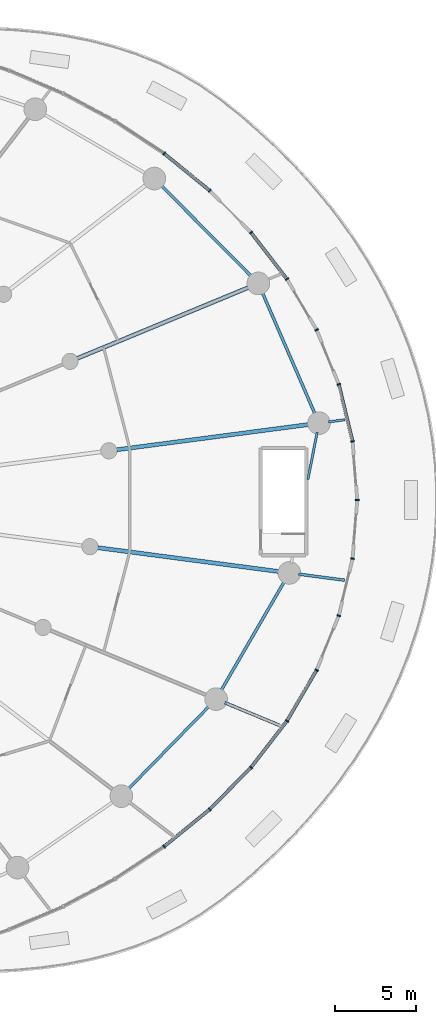
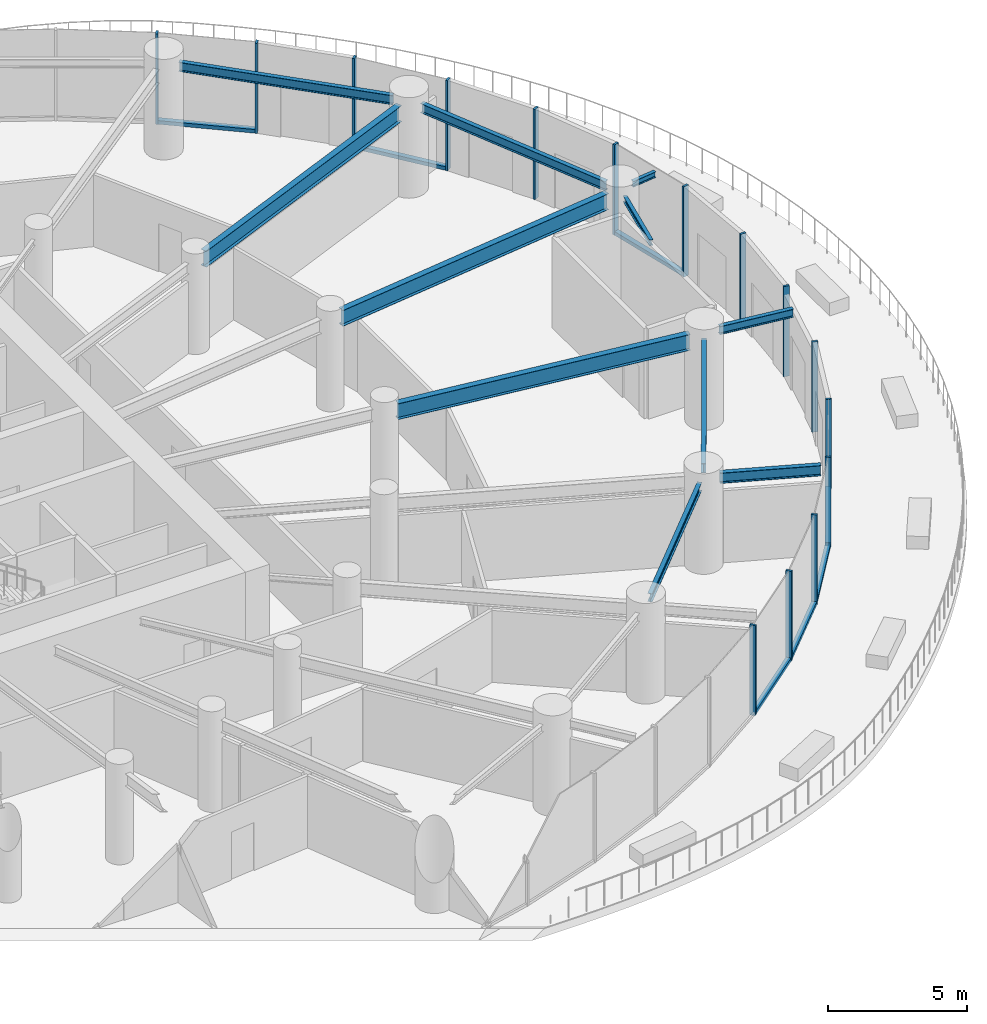
# One storey, part 7 of 21: 22 members, 11 beams, 4 elements without a shape of their own.
"""IFC4 building model written with IfcOpenShell, lengths in metres."""

from ifc_helpers import new_model, si_unit, direction, frame, origin, origin_2d, place, context, subcontext, project, spatial, rectangle, i_section, extrude, source, transform, mapped, material, layer, layer_set, material_profile, profile_set, type_object, element, aggregate, save


model = new_model("IFC4")

# Units and contexts
model_context = context("Model", 3, precision=1e-05, world=origin(), true_north=direction((0.0, 1.0)))
body_context = subcontext(model_context, "Body", "Model", "MODEL_VIEW")
ifc_project = project(units=[si_unit("LENGTHUNIT", "METRE"), si_unit("AREAUNIT", "SQUARE_METRE"), si_unit("VOLUMEUNIT", "CUBIC_METRE"), si_unit("PLANEANGLEUNIT", "RADIAN"), si_unit("MASSUNIT", "GRAM", prefix="KILO")], contexts=[model_context])

# Site, building, storey
site_placement = place(None, origin())
site = spatial("IfcSite", under=ifc_project, at=site_placement, CompositionType="ELEMENT")
building_placement = place(site_placement, origin())
building = spatial("IfcBuilding", under=site, at=building_placement, Name="Spindrift Exchange Tower", CompositionType="ELEMENT")
storey_placement = place(building_placement, frame((0.0, 0.0, 18.199951171875)))
storey = spatial("IfcBuildingStorey", under=building, at=storey_placement, Name="L04", CompositionType="ELEMENT", Elevation=18.199951171875)

# Beams
ifc_material_1 = material(Name="Steel Grade 300", Category="steel")
ifc_material_profile_1 = material_profile(ifc_material_1, i_section(OverallWidth=0.25, OverallDepth=0.699951171875, WebThickness=0.008056640625, FlangeThickness=0.011962890625, at=origin_2d()), Name="700WB115")
ifc_profile_set_1 = profile_set([ifc_material_profile_1], Name="Steel Grade 300")
beam_type_1 = type_object("IfcBeamType", Name="Floor Beam 700WB115 Steel Grade 300", PredefinedType="BEAM", material=ifc_profile_set_1)
shared_shape_1 = source(origin(), body_context, "Body", "SweptSolid", [
    extrude(i_section(OverallWidth=0.25, OverallDepth=0.699951171875, WebThickness=0.008056640625, FlangeThickness=0.011962890625, at=origin_2d()), origin(), (0.0, 0.0, 1.0), 12.00830078125),
])
beam_1_placement = place(storey_placement, frame((75.509765625, 51.09521484375, 3.60009765625), z_axis=(0.991444950947, 0.130525511844, 0.0), x_axis=(-0.130525511844, 0.991444950947, 0.0)))
element("IfcBeam", 1, at=beam_1_placement, inside=storey, type_object=beam_type_1, Name="L04 radial beam R01B", PredefinedType="BEAM", context=body_context, shape_type="MappedRepresentation", body=[
    mapped(shared_shape_1, transform((0.0, 0.0, 0.0), scale=1.0)),
])
shared_shape_2 = source(origin(), body_context, "Body", "SweptSolid", [
    extrude(i_section(OverallWidth=0.25, OverallDepth=0.699951171875, WebThickness=0.008056640625, FlangeThickness=0.011962890625, at=origin_2d()), origin(), (0.0, 0.0, 1.0), 11.505859375),
])
beam_2_placement = place(storey_placement, frame((73.082763671875, 56.73291015625, 3.60009765625), z_axis=(0.923881578419, 0.38267849307, 0.0), x_axis=(-0.38267849307, 0.923881578419, 0.0)))
element("IfcBeam", 2, at=beam_2_placement, inside=storey, type_object=beam_type_1, Name="L04 radial beam R02B", PredefinedType="BEAM", context=body_context, shape_type="MappedRepresentation", body=[
    mapped(shared_shape_2, transform((0.0, 0.0, 0.0), scale=1.0)),
])
shared_shape_3 = source(origin(), body_context, "Body", "SweptSolid", [
    extrude(i_section(OverallWidth=0.25, OverallDepth=0.699951171875, WebThickness=0.008056640625, FlangeThickness=0.011962890625, at=origin_2d()), origin(), (0.0, 0.0, 1.0), 11.34423828125),
])
beam_3_placement = place(storey_placement, frame((74.339111328125, 45.05908203125, 3.60009765625), z_axis=(0.991444770187, -0.130526884848, 0.0), x_axis=(0.130526884848, 0.991444770187, 0.0)))
element("IfcBeam", 3, at=beam_3_placement, inside=storey, type_object=beam_type_1, Name="L04 radial beam R24B", PredefinedType="BEAM", context=body_context, shape_type="MappedRepresentation", body=[
    mapped(shared_shape_3, transform((0.0, 0.0, 0.0), scale=1.0)),
])
ifc_material_profile_2 = material_profile(ifc_material_1, i_section(OverallWidth=0.177978515625, OverallDepth=0.406005859375, WebThickness=0.0078125, FlangeThickness=0.0126953125, FilletRadius=0.013916015625, at=origin_2d()), Name="410UB59.7")
ifc_profile_set_2 = profile_set([ifc_material_profile_2], Name="Steel Grade 300")
beam_type_2 = type_object("IfcBeamType", Name="Edge Beam 410UB59.7 Steel Grade 300", PredefinedType="SPANDREL", material=ifc_profile_set_2)
shared_shape_4 = source(origin(), body_context, "Body", "SweptSolid", [
    extrude(i_section(OverallWidth=0.177978515625, OverallDepth=0.406005859375, WebThickness=0.0078125, FlangeThickness=0.0126953125, FilletRadius=0.013916015625, at=origin_2d()), origin(), (0.0, 0.0, 1.0), 8.23681640625),
])
beam_4_placement = place(storey_placement, frame((87.759521484375, 53.270263671875, 3.7470703125), z_axis=(-0.398186298756, 0.91730456855, 0.0), x_axis=(-0.91730456855, -0.398186298756, 0.0)))
element("IfcBeam", 4, at=beam_4_placement, inside=storey, type_object=beam_type_2, Name="L04 edge beam E01", PredefinedType="SPANDREL", context=body_context, shape_type="MappedRepresentation", body=[
    mapped(shared_shape_4, transform((0.0, 0.0, 0.0), scale=1.0)),
])
shared_shape_5 = source(origin(), body_context, "Body", "SweptSolid", [
    extrude(i_section(OverallWidth=0.177978515625, OverallDepth=0.406005859375, WebThickness=0.0078125, FlangeThickness=0.0126953125, FilletRadius=0.013916015625, at=origin_2d()), origin(), (0.0, 0.0, 1.0), 7.947509765625),
])
beam_5_placement = place(storey_placement, frame((83.840576171875, 61.769775390625, 3.7470703125), z_axis=(-0.704197895271, 0.710003749494, 0.0), x_axis=(-0.710003749494, -0.704197895271, 0.0)))
element("IfcBeam", 5, at=beam_5_placement, inside=storey, type_object=beam_type_2, Name="L04 edge beam E02", PredefinedType="SPANDREL", context=body_context, shape_type="MappedRepresentation", body=[
    mapped(shared_shape_5, transform((0.0, 0.0, 0.0), scale=1.0)),
])
ifc_material_profile_3 = material_profile(ifc_material_1, i_section(OverallWidth=0.172119140625, OverallDepth=0.35888671875, WebThickness=0.008056640625, FlangeThickness=0.012939453125, FilletRadius=0.013916015625, at=origin_2d()), Name="360UB56.7")
ifc_profile_set_3 = profile_set([ifc_material_profile_3], Name="Steel Grade 300")
beam_type_3 = type_object("IfcBeamType", Name="Edge Beam 360UB56.7 Steel Grade 300", PredefinedType="SPANDREL", material=ifc_profile_set_3)
shared_shape_6 = source(origin(), body_context, "Body", "SweptSolid", [
    extrude(i_section(OverallWidth=0.172119140625, OverallDepth=0.35888671875, WebThickness=0.008056640625, FlangeThickness=0.012939453125, FilletRadius=0.013916015625, at=origin_2d()), origin(), (0.0, 0.0, 1.0), 7.2041015625),
])
beam_6_placement = place(storey_placement, frame((76.205810546875, 30.152099609375, 3.7705078125), z_axis=(0.698703626006, 0.715411240481, 0.0), x_axis=(-0.715411240481, 0.698703626006, 0.0)))
element("IfcBeam", 6, at=beam_6_placement, inside=storey, type_object=beam_type_3, Name="L04 edge beam E22", PredefinedType="SPANDREL", context=body_context, shape_type="MappedRepresentation", body=[
    mapped(shared_shape_6, transform((0.0, 0.0, 0.0), scale=1.0)),
])
shared_shape_7 = source(origin(), body_context, "Body", "SweptSolid", [
    extrude(i_section(OverallWidth=0.177978515625, OverallDepth=0.406005859375, WebThickness=0.0078125, FlangeThickness=0.0126953125, FilletRadius=0.013916015625, at=origin_2d()), origin(), (0.0, 0.0, 1.0), 7.837646484375),
])
beam_7_placement = place(storey_placement, frame((81.935791015625, 36.222412109375, 3.7470703125), z_axis=(0.50198145655, 0.864878382942, 0.0), x_axis=(-0.864878382942, 0.50198145655, 0.0)))
element("IfcBeam", 7, at=beam_7_placement, inside=storey, type_object=beam_type_2, Name="L04 edge beam E23", PredefinedType="SPANDREL", context=body_context, shape_type="MappedRepresentation", body=[
    mapped(shared_shape_7, transform((0.0, 0.0, 0.0), scale=1.0)),
])
ifc_material_profile_4 = material_profile(ifc_material_1, i_section(OverallWidth=0.14599609375, OverallDepth=0.251953125, WebThickness=0.006103515625, FlangeThickness=0.008544921875, FilletRadius=0.011962890625, at=origin_2d()), Name="250UB31.4")
ifc_profile_set_4 = profile_set([ifc_material_profile_4], Name="Steel Grade 300")
beam_type_4 = type_object("IfcBeamType", Name="Edge Beam 250UB31.4 Steel Grade 300", PredefinedType="SPANDREL", material=ifc_profile_set_4)
shared_shape_8 = source(origin(), body_context, "Body", "SweptSolid", [
    extrude(i_section(OverallWidth=0.14599609375, OverallDepth=0.251953125, WebThickness=0.006103515625, FlangeThickness=0.008544921875, FilletRadius=0.011962890625, at=origin_2d()), origin(), (0.0, 0.0, 1.0), 2.953369140625),
])
beam_8_placement = place(storey_placement, frame((87.303955078125, 49.27197265625, 3.823974609375), z_axis=(0.194255885589, 0.980950891184, 0.0), x_axis=(-0.980950891184, 0.194255885589, 0.0)))
element("IfcBeam", 8, at=beam_8_placement, inside=storey, type_object=beam_type_4, Name="L04 edge beam E24b", PredefinedType="SPANDREL", context=body_context, shape_type="MappedRepresentation", body=[
    mapped(shared_shape_8, transform((0.0, 0.0, 0.0), scale=1.0)),
])
ifc_material_profile_5 = material_profile(ifc_material_1, i_section(OverallWidth=0.18994140625, OverallDepth=0.45703125, WebThickness=0.009033203125, FlangeThickness=0.014404296875, FilletRadius=0.013916015625, at=origin_2d()), Name="460UB74.6")
ifc_profile_set_5 = profile_set([ifc_material_profile_5], Name="Steel Grade 300")
beam_type_5 = type_object("IfcBeamType", Name="Cantilever Beam 460UB74.6 Steel Grade 300", PredefinedType="BEAM", material=ifc_profile_set_5)
shared_shape_9 = source(origin(), body_context, "Body", "SweptSolid", [
    extrude(i_section(OverallWidth=0.18994140625, OverallDepth=0.45703125, WebThickness=0.009033203125, FlangeThickness=0.014404296875, FilletRadius=0.013916015625, at=origin_2d()), origin(), (0.0, 0.0, 1.0), 3.650390625),
])
beam_9_placement = place(storey_placement, frame((82.180419921875, 35.498779296875, 3.721435546875), z_axis=(0.923878259205, -0.382686506383, 0.0), x_axis=(0.382686506383, 0.923878259205, 0.0)))
element("IfcBeam", 9, at=beam_9_placement, inside=storey, type_object=beam_type_5, Name="L04 cantilever beam R23T", PredefinedType="BEAM", context=body_context, shape_type="MappedRepresentation", body=[
    mapped(shared_shape_9, transform((0.0, 0.0, 0.0), scale=1.0)),
])
ifc_material_profile_6 = material_profile(ifc_material_1, i_section(OverallWidth=0.172119140625, OverallDepth=0.35888671875, WebThickness=0.008056640625, FlangeThickness=0.012939453125, FilletRadius=0.013916015625, at=origin_2d()), Name="360UB56.7")
ifc_profile_set_6 = profile_set([ifc_material_profile_6], Name="Steel Grade 300")
beam_type_6 = type_object("IfcBeamType", Name="Cantilever Beam 360UB56.7 Steel Grade 300", PredefinedType="BEAM", material=ifc_profile_set_6)
shared_shape_10 = source(origin(), body_context, "Body", "SweptSolid", [
    extrude(i_section(OverallWidth=0.172119140625, OverallDepth=0.35888671875, WebThickness=0.008056640625, FlangeThickness=0.012939453125, FilletRadius=0.013916015625, at=origin_2d()), origin(), (0.0, 0.0, 1.0), 2.85888671875),
])
beam_10_placement = place(storey_placement, frame((86.736083984375, 43.427001953125, 3.7705078125), z_axis=(0.99143917468, -0.13056937968, 0.0), x_axis=(0.13056937968, 0.99143917468, 0.0)))
element("IfcBeam", 10, at=beam_10_placement, inside=storey, type_object=beam_type_6, Name="L04 cantilever beam R24T", PredefinedType="BEAM", context=body_context, shape_type="MappedRepresentation", body=[
    mapped(shared_shape_10, transform((0.0, 0.0, 0.0), scale=1.0)),
])
ifc_material_profile_7 = material_profile(ifc_material_1, i_section(OverallWidth=0.14599609375, OverallDepth=0.251953125, WebThickness=0.006103515625, FlangeThickness=0.008544921875, FilletRadius=0.011962890625, at=origin_2d()), Name="250UB31.4")
ifc_profile_set_7 = profile_set([ifc_material_profile_7], Name="Steel Grade 300")
beam_type_7 = type_object("IfcBeamType", Name="Cantilever Beam 250UB31.4 Steel Grade 300", PredefinedType="BEAM", material=ifc_profile_set_7)
shared_shape_11 = source(origin(), body_context, "Body", "SweptSolid", [
    extrude(i_section(OverallWidth=0.14599609375, OverallDepth=0.251953125, WebThickness=0.006103515625, FlangeThickness=0.008544921875, FilletRadius=0.011962890625, at=origin_2d()), origin(), (0.0, 0.0, 1.0), 1.013916015625),
])
beam_11_placement = place(storey_placement, frame((88.5654296875, 52.81396484375, 3.823974609375), z_axis=(0.991445276866, 0.130523036206, 0.0), x_axis=(-0.130523036206, 0.991445276866, 0.0)))
element("IfcBeam", 11, at=beam_11_placement, inside=storey, type_object=beam_type_7, Name="L04 cantilever beam R01T", PredefinedType="BEAM", context=body_context, shape_type="MappedRepresentation", body=[
    mapped(shared_shape_11, transform((0.0, 0.0, 0.0), scale=1.0)),
])

# Curtain wall, members
ifc_material_2 = material(Name="Fritted laminated glass with bronze frame", Category="glass")
ifc_layer = layer(ifc_material_2, 0.219970703125)
ifc_layer_set = layer_set([ifc_layer], Name="PODIUM BRONZE GLAZED WALL")
curtain_wall_type = type_object("IfcCurtainWallType", Name="PODIUM BRONZE GLAZED WALL", PredefinedType="NOTDEFINED", material=ifc_layer_set)
curtain_wall_1_placement = place(storey_placement, origin())
curtain_wall_1 = element("IfcCurtainWall", 12, at=curtain_wall_1_placement, inside=storey, type_object=curtain_wall_type, Name="L04 Podium Bronze Glazed Wall run 1", PredefinedType="NOTDEFINED")
ifc_material_3 = material(Name="Bronze anodised aluminium", Category="aluminium")
ifc_material_profile_8 = material_profile(ifc_material_3, rectangle(XDim=0.090087890625, YDim=0.219970703125, at=origin_2d()), Name="PODIUM BRONZE GLAZED WALL MULLION 90X220")
ifc_profile_set_8 = profile_set([ifc_material_profile_8], Name="Bronze anodised aluminium")
member_type_1 = type_object("IfcMemberType", Name="PODIUM BRONZE GLAZED WALL MULLION 90X220", PredefinedType="MULLION", material=ifc_profile_set_8)
shared_shape_12 = source(origin(), body_context, "Body", "SweptSolid", [
    extrude(rectangle(XDim=0.090087890625, YDim=0.219970703125, at=origin_2d()), origin(), (0.0, 0.0, 1.0), 3.949951171875),
])
member_1_placement = place(storey_placement, frame((90.35009765625, 48.0, 0.0), z_axis=(0.0, 0.0, 1.0), x_axis=(0.0, 1.0, 0.0)))
member_1 = element("IfcMember", 13, at=member_1_placement, type_object=member_type_1, Name="L04 mullion CW-P.1", PredefinedType="MULLION", context=body_context, shape_type="MappedRepresentation", body=[
    mapped(shared_shape_12, transform((0.0, 0.0, 0.0), scale=1.0)),
])
member_2_placement = place(storey_placement, frame((90.061279296875, 51.61279296875, 0.0), z_axis=(0.0, 0.0, 1.0), x_axis=(-0.157610200296, 0.987501404942, 0.0)))
member_2 = element("IfcMember", 14, at=member_2_placement, type_object=member_type_1, Name="L04 mullion CW-P.2", PredefinedType="MULLION", context=body_context, shape_type="MappedRepresentation", body=[
    mapped(shared_shape_12, transform((0.0, 0.0, 0.0), scale=1.0)),
])
member_3_placement = place(storey_placement, frame((89.2109375, 55.13623046875, 0.0), z_axis=(0.0, 0.0, 1.0), x_axis=(-0.306991040816, 0.951712404489, 0.0)))
member_3 = element("IfcMember", 15, at=member_3_placement, type_object=member_type_1, Name="L04 mullion CW-P.3", PredefinedType="MULLION", context=body_context, shape_type="MappedRepresentation", body=[
    mapped(shared_shape_12, transform((0.0, 0.0, 0.0), scale=1.0)),
])
member_4_placement = place(storey_placement, frame((87.842041015625, 58.492919921875, 0.0), z_axis=(0.0, 0.0, 1.0), x_axis=(-0.441893107897, 0.897067712714, 0.0)))
member_4 = element("IfcMember", 16, at=member_4_placement, type_object=member_type_1, Name="L04 mullion CW-P.4", PredefinedType="MULLION", context=body_context, shape_type="MappedRepresentation", body=[
    mapped(shared_shape_12, transform((0.0, 0.0, 0.0), scale=1.0)),
])
member_5_placement = place(storey_placement, frame((86.014892578125, 61.624267578125, 0.0), z_axis=(0.0, 0.0, 1.0), x_axis=(-0.5590392146, 0.829141216283, 0.0)))
member_5 = element("IfcMember", 17, at=member_5_placement, type_object=member_type_1, Name="L04 mullion CW-P.5", PredefinedType="MULLION", context=body_context, shape_type="MappedRepresentation", body=[
    mapped(shared_shape_12, transform((0.0, 0.0, 0.0), scale=1.0)),
])
member_6_placement = place(storey_placement, frame((83.796875, 64.492431640625, 0.0), z_axis=(0.0, 0.0, 1.0), x_axis=(-0.657861656686, 0.753138792429, 0.0)))
member_6 = element("IfcMember", 18, at=member_6_placement, type_object=member_type_1, Name="L04 mullion CW-P.6", PredefinedType="MULLION", context=body_context, shape_type="MappedRepresentation", body=[
    mapped(shared_shape_12, transform((0.0, 0.0, 0.0), scale=1.0)),
])

curtain_wall_2_placement = place(storey_placement, origin())
curtain_wall_2 = element("IfcCurtainWall", 19, at=curtain_wall_2_placement, inside=storey, type_object=curtain_wall_type, Name="L04 Podium Bronze Glazed Wall run 2", PredefinedType="NOTDEFINED")
member_7_placement = place(storey_placement, frame((81.252685546875, 67.076416015625, 0.0), z_axis=(0.0, 0.0, 1.0), x_axis=(-0.739527857689, 0.673125952331, 0.0)))
member_7 = element("IfcMember", 20, at=member_7_placement, type_object=member_type_1, Name="L04 mullion CW-P.7", PredefinedType="MULLION", context=body_context, shape_type="MappedRepresentation", body=[
    mapped(shared_shape_12, transform((0.0, 0.0, 0.0), scale=1.0)),
])
member_8_placement = place(storey_placement, frame((78.441162109375, 69.3671875, 0.0), z_axis=(0.0, 0.0, 1.0), x_axis=(-0.806035251787, 0.591867529838, 0.0)))
member_8 = element("IfcMember", 21, at=member_8_placement, type_object=member_type_1, Name="L04 mullion CW-P.8", PredefinedType="MULLION", context=body_context, shape_type="MappedRepresentation", body=[
    mapped(shared_shape_12, transform((0.0, 0.0, 0.0), scale=1.0)),
])

curtain_wall_3_placement = place(storey_placement, origin())
curtain_wall_3 = element("IfcCurtainWall", 22, at=curtain_wall_3_placement, inside=storey, type_object=curtain_wall_type, Name="L04 Podium Bronze Glazed Wall run 9", PredefinedType="NOTDEFINED")
member_9_placement = place(storey_placement, frame((78.441162109375, 26.6328125, 0.0), z_axis=(0.0, 0.0, 1.0), x_axis=(0.806035251787, 0.591867529838, 0.0)))
member_9 = element("IfcMember", 23, at=member_9_placement, type_object=member_type_1, Name="L04 mullion CW-P.53", PredefinedType="MULLION", context=body_context, shape_type="MappedRepresentation", body=[
    mapped(shared_shape_12, transform((0.0, 0.0, 0.0), scale=1.0)),
])
member_10_placement = place(storey_placement, frame((81.252685546875, 28.923583984375, 0.0), z_axis=(0.0, 0.0, 1.0), x_axis=(0.739527857689, 0.673125952331, 0.0)))
member_10 = element("IfcMember", 24, at=member_10_placement, type_object=member_type_1, Name="L04 mullion CW-P.54", PredefinedType="MULLION", context=body_context, shape_type="MappedRepresentation", body=[
    mapped(shared_shape_12, transform((0.0, 0.0, 0.0), scale=1.0)),
])

curtain_wall_4_placement = place(storey_placement, origin())
curtain_wall_4 = element("IfcCurtainWall", 25, at=curtain_wall_4_placement, inside=storey, type_object=curtain_wall_type, Name="L04 Podium Bronze Glazed Wall run 10", PredefinedType="NOTDEFINED")
member_11_placement = place(storey_placement, frame((83.796875, 31.507568359375, 0.0), z_axis=(0.0, 0.0, 1.0), x_axis=(0.657861656686, 0.753138792429, 0.0)))
member_11 = element("IfcMember", 26, at=member_11_placement, type_object=member_type_1, Name="L04 mullion CW-P.55", PredefinedType="MULLION", context=body_context, shape_type="MappedRepresentation", body=[
    mapped(shared_shape_12, transform((0.0, 0.0, 0.0), scale=1.0)),
])
member_12_placement = place(storey_placement, frame((86.014892578125, 34.375732421875, 0.0), z_axis=(0.0, 0.0, 1.0), x_axis=(0.5590392146, 0.829141216283, 0.0)))
member_12 = element("IfcMember", 27, at=member_12_placement, type_object=member_type_1, Name="L04 mullion CW-P.56", PredefinedType="MULLION", context=body_context, shape_type="MappedRepresentation", body=[
    mapped(shared_shape_12, transform((0.0, 0.0, 0.0), scale=1.0)),
])
member_13_placement = place(storey_placement, frame((87.842041015625, 37.507080078125, 0.0), z_axis=(0.0, 0.0, 1.0), x_axis=(0.441893107897, 0.897067712714, 0.0)))
member_13 = element("IfcMember", 28, at=member_13_placement, type_object=member_type_1, Name="L04 mullion CW-P.57", PredefinedType="MULLION", context=body_context, shape_type="MappedRepresentation", body=[
    mapped(shared_shape_12, transform((0.0, 0.0, 0.0), scale=1.0)),
])
member_14_placement = place(storey_placement, frame((89.2109375, 40.86376953125, 0.0), z_axis=(0.0, 0.0, 1.0), x_axis=(0.306991040816, 0.951712404489, 0.0)))
member_14 = element("IfcMember", 29, at=member_14_placement, type_object=member_type_1, Name="L04 mullion CW-P.58", PredefinedType="MULLION", context=body_context, shape_type="MappedRepresentation", body=[
    mapped(shared_shape_12, transform((0.0, 0.0, 0.0), scale=1.0)),
])
member_15_placement = place(storey_placement, frame((90.061279296875, 44.38720703125, 0.0), z_axis=(0.0, 0.0, 1.0), x_axis=(0.157610200296, 0.987501404942, 0.0)))
member_15 = element("IfcMember", 30, at=member_15_placement, type_object=member_type_1, Name="L04 mullion CW-P.59", PredefinedType="MULLION", context=body_context, shape_type="MappedRepresentation", body=[
    mapped(shared_shape_12, transform((0.0, 0.0, 0.0), scale=1.0)),
])

# Member
ifc_material_profile_9 = material_profile(ifc_material_3, rectangle(XDim=0.199951171875, YDim=0.159912109375, at=origin_2d()), Name="PODIUM BRONZE GLAZED WALL TRANSOM 200X160")
ifc_profile_set_9 = profile_set([ifc_material_profile_9], Name="Bronze anodised aluminium")
member_type_2 = type_object("IfcMemberType", Name="PODIUM BRONZE GLAZED WALL TRANSOM 200X160", PredefinedType="USERDEFINED", material=ifc_profile_set_9)
shared_shape_13 = source(origin(), body_context, "Body", "SweptSolid", [
    extrude(rectangle(XDim=0.199951171875, YDim=0.159912109375, at=origin_2d()), origin(), (0.0, 0.0, 1.0), 3.534423828125),
])
member_16_placement = place(storey_placement, frame((90.05078125, 51.65673828125, 0.080078125), z_axis=(-0.234645034566, 0.972081122003, 0.0), x_axis=(-0.972081122003, -0.234645034566, 0.0)))
member_16 = element("IfcMember", 31, at=member_16_placement, type_object=member_type_2, Name="L04 transom CW-P.2", ObjectType="TRANSOM", PredefinedType="USERDEFINED", context=body_context, shape_type="MappedRepresentation", body=[
    mapped(shared_shape_13, transform((0.0, 0.0, 0.0), scale=1.0)),
])

shared_shape_14 = source(origin(), body_context, "Body", "SweptSolid", [
    extrude(rectangle(XDim=0.199951171875, YDim=0.159912109375, at=origin_2d()), origin(), (0.0, 0.0, 1.0), 3.535888671875),
])
member_17_placement = place(storey_placement, frame((85.987548828125, 61.659912109375, 0.080078125), z_axis=(-0.611820802037, 0.790996400873, 0.0), x_axis=(-0.790996400873, -0.611820802037, 0.0)))
member_17 = element("IfcMember", 32, at=member_17_placement, type_object=member_type_2, Name="L04 transom CW-P.5", ObjectType="TRANSOM", PredefinedType="USERDEFINED", context=body_context, shape_type="MappedRepresentation", body=[
    mapped(shared_shape_14, transform((0.0, 0.0, 0.0), scale=1.0)),
])

aggregate(curtain_wall_1, [member_1, member_2, member_16, member_3, member_4, member_5, member_17, member_6])

member_18_placement = place(storey_placement, frame((83.82421875, 31.543212890625, 0.080078125), z_axis=(0.611820802037, 0.790996400873, 0.0), x_axis=(-0.790996400873, 0.611820802037, 0.0)))
member_18 = element("IfcMember", 33, at=member_18_placement, type_object=member_type_2, Name="L04 transom CW-P.55", ObjectType="TRANSOM", PredefinedType="USERDEFINED", context=body_context, shape_type="MappedRepresentation", body=[
    mapped(shared_shape_14, transform((0.0, 0.0, 0.0), scale=1.0)),
])

shared_shape_15 = source(origin(), body_context, "Body", "SweptSolid", [
    extrude(rectangle(XDim=0.199951171875, YDim=0.159912109375, at=origin_2d()), origin(), (0.0, 0.0, 1.0), 3.53662109375),
])
member_19_placement = place(storey_placement, frame((81.2177734375, 67.104736328125, 0.080078125), z_axis=(-0.775213701115, 0.63169907203, 0.0), x_axis=(-0.63169907203, -0.775213701115, 0.0)))
member_19 = element("IfcMember", 34, at=member_19_placement, type_object=member_type_2, Name="L04 transom CW-P.7", ObjectType="TRANSOM", PredefinedType="USERDEFINED", context=body_context, shape_type="MappedRepresentation", body=[
    mapped(shared_shape_15, transform((0.0, 0.0, 0.0), scale=1.0)),
])

aggregate(curtain_wall_2, [member_7, member_19, member_8])

member_20_placement = place(storey_placement, frame((78.47607421875, 26.6611328125, 0.080078125), z_axis=(0.775213701115, 0.63169907203, 0.0), x_axis=(-0.63169907203, 0.775213701115, 0.0)))
member_20 = element("IfcMember", 35, at=member_20_placement, type_object=member_type_2, Name="L04 transom CW-P.53", ObjectType="TRANSOM", PredefinedType="USERDEFINED", context=body_context, shape_type="MappedRepresentation", body=[
    mapped(shared_shape_15, transform((0.0, 0.0, 0.0), scale=1.0)),
])

shared_shape_16 = source(origin(), body_context, "Body", "SweptSolid", [
    extrude(rectangle(XDim=0.199951171875, YDim=0.159912109375, at=origin_2d()), origin(), (0.0, 0.0, 1.0), 3.535400390625),
])
member_21_placement = place(storey_placement, frame((86.03759765625, 34.41455078125, 0.080078125), z_axis=(0.50395689343, 0.863728805566, 0.0), x_axis=(-0.863728805566, 0.50395689343, 0.0)))
member_21 = element("IfcMember", 36, at=member_21_placement, type_object=member_type_2, Name="L04 transom CW-P.56", ObjectType="TRANSOM", PredefinedType="USERDEFINED", context=body_context, shape_type="MappedRepresentation", body=[
    mapped(shared_shape_16, transform((0.0, 0.0, 0.0), scale=1.0)),
])

aggregate(curtain_wall_4, [member_11, member_18, member_12, member_21, member_13, member_14, member_15])

shared_shape_17 = source(origin(), body_context, "Body", "SweptSolid", [
    extrude(rectangle(XDim=0.199951171875, YDim=0.159912109375, at=origin_2d()), origin(), (0.0, 0.0, 1.0), 3.5361328125),
])
member_22_placement = place(storey_placement, frame((81.2841796875, 28.95556640625, 0.080078125), z_axis=(0.701596702482, 0.712574253721, 0.0), x_axis=(-0.712574253721, 0.701596702482, 0.0)))
member_22 = element("IfcMember", 37, at=member_22_placement, type_object=member_type_2, Name="L04 transom CW-P.54", ObjectType="TRANSOM", PredefinedType="USERDEFINED", context=body_context, shape_type="MappedRepresentation", body=[
    mapped(shared_shape_17, transform((0.0, 0.0, 0.0), scale=1.0)),
])

aggregate(curtain_wall_3, [member_9, member_20, member_10, member_22])

save(model, "model.ifc")
